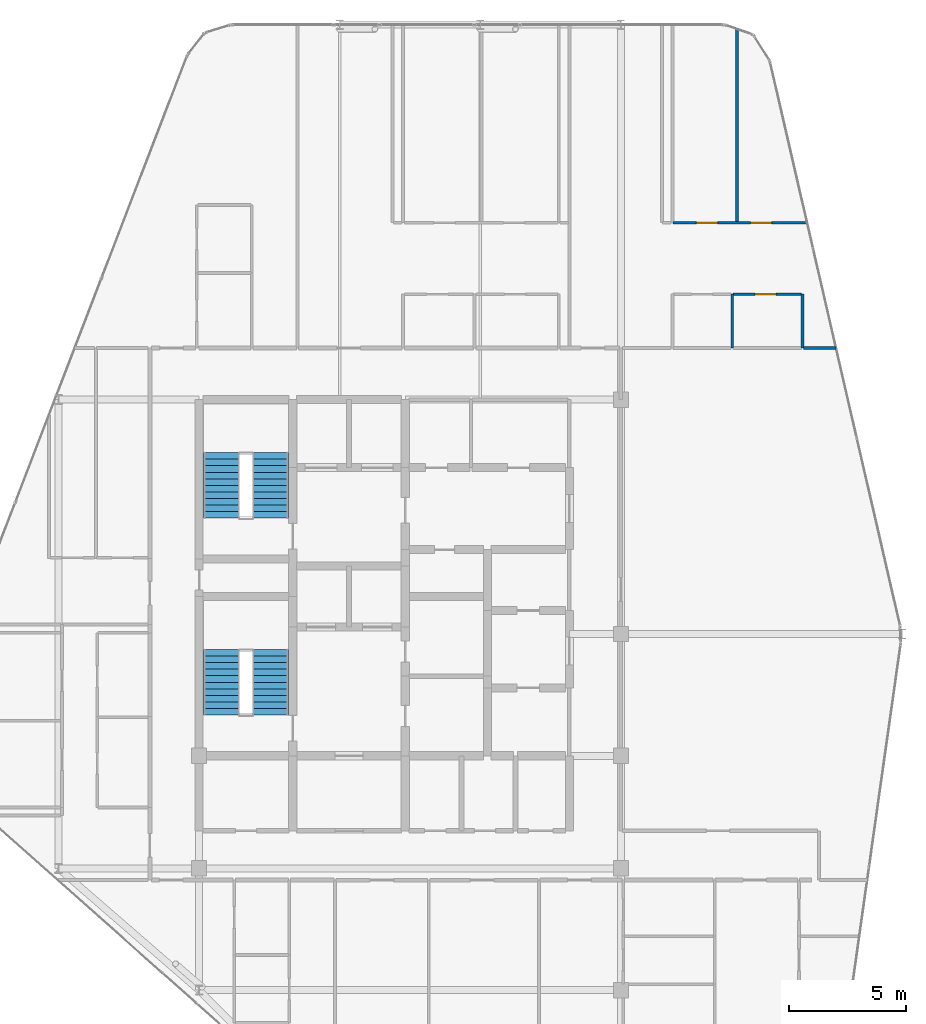
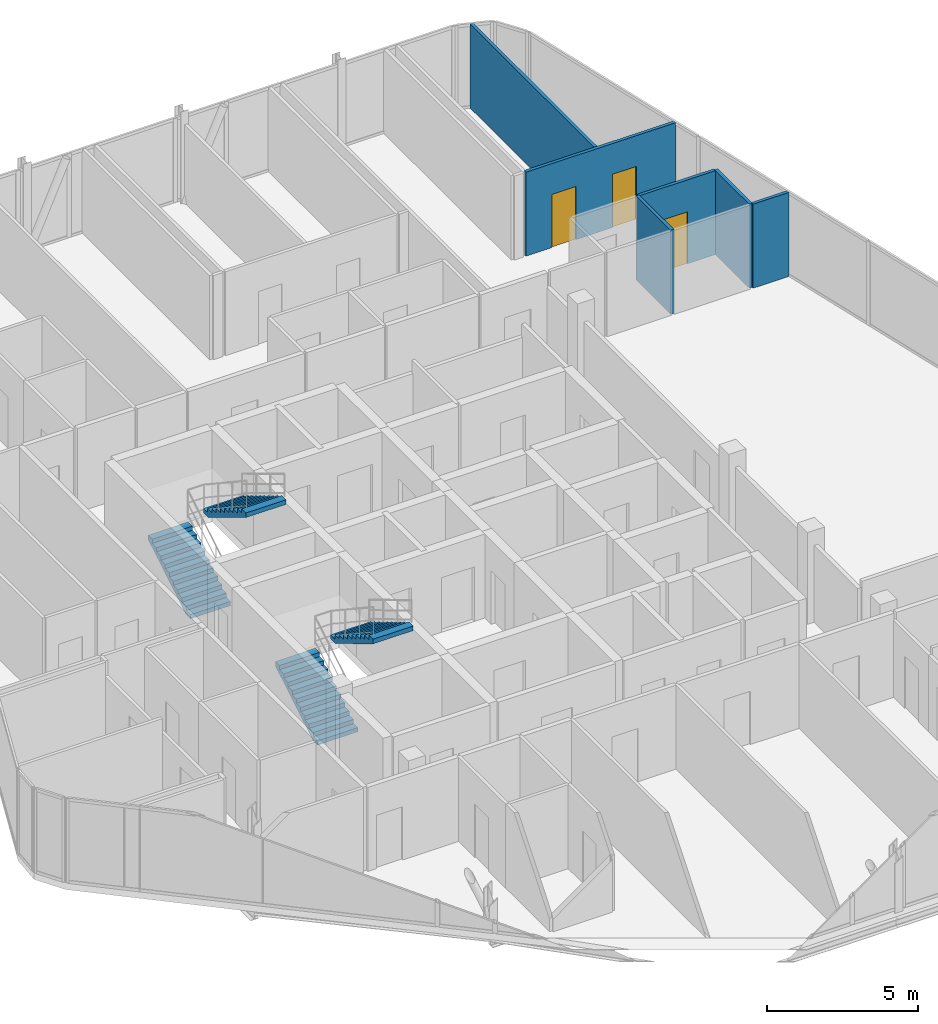
# One storey, part 26 of 27: 6 walls, 4 stair flights, 3 doors, 3 openings, 2 elements without a shape of their own.
"""IFC4 building model written with IfcOpenShell, lengths in metres."""

from ifc_helpers import new_model, si_unit, direction, frame, frame_2d, origin, place, context, subcontext, project, spatial, polyline, rectangle, outline, extrude, material, layer, layer_set, type_object, element, fill, aggregate, save


model = new_model("IFC4")

# Units and contexts
model_context = context("Model", 3, precision=1e-05, world=origin(), true_north=direction((0.0, 1.0)))
body_context = subcontext(model_context, "Body", "Model", "MODEL_VIEW")
ifc_project = project(units=[si_unit("LENGTHUNIT", "METRE"), si_unit("AREAUNIT", "SQUARE_METRE"), si_unit("VOLUMEUNIT", "CUBIC_METRE"), si_unit("PLANEANGLEUNIT", "RADIAN"), si_unit("MASSUNIT", "GRAM", prefix="KILO")], contexts=[model_context])

# Site, building, storey
site_placement = place(None, origin())
site = spatial("IfcSite", under=ifc_project, at=site_placement, CompositionType="ELEMENT")
building_placement = place(site_placement, origin())
building = spatial("IfcBuilding", under=site, at=building_placement, Name="Keshet Zoharim Tower", CompositionType="ELEMENT")
storey_placement = place(building_placement, frame((0.0, 0.0, 284.300048828125)))
storey = spatial("IfcBuildingStorey", under=building, at=storey_placement, Name="L71", CompositionType="ELEMENT", Elevation=284.300048828125)

# Walls
ifc_material_1 = material(Name="Gypsum Plasterboard", Category="gypsum")
ifc_layer_1 = layer(ifc_material_1, 0.1201171875)
ifc_layer_set_1 = layer_set([ifc_layer_1], Name="Gypsum Plasterboard")
wall_type_1 = type_object("IfcWallType", Name="WL-PART-120", PredefinedType="PARTITIONING", material=ifc_layer_set_1)
wall_1_placement = place(storey_placement, frame((37.949951171875, 45.449951171875, 0.0), z_axis=(0.0, 0.0, 1.0), x_axis=(0.0, 1.0, 0.0)))
element("IfcWall", 1, at=wall_1_placement, inside=storey, type_object=wall_type_1, Name="L71 Interior Wall 076", PredefinedType="PARTITIONING", context=body_context, shape_type="SweptSolid", body=[
    extrude(rectangle(XDim=8.2509765625, YDim=0.1201171875, at=frame_2d((4.12548828125, 0.0))), origin(), (0.0, 0.0, 1.0), 3.389892578125),
])
wall_2_placement = place(storey_placement, frame((40.7958984375, 40.10009765625, 0.0), z_axis=(0.0, 0.0, 1.0), x_axis=(1.0, 0.0, 0.0)))
element("IfcWall", 2, at=wall_2_placement, inside=storey, type_object=wall_type_1, Name="L71 Interior Wall 149", PredefinedType="PARTITIONING", context=body_context, shape_type="SweptSolid", body=[
    extrude(rectangle(XDim=1.379150390625, YDim=0.1201171875, at=frame_2d((0.689453125, 0.0))), origin(), (0.0, 0.0, 1.0), 3.389892578125),
])

# Wall, openings, doors
wall_3_placement = place(storey_placement, frame((35.22509765625, 45.449951171875, 0.0), z_axis=(0.0, 0.0, 1.0), x_axis=(1.0, 0.0, 0.0)))
wall_3 = element("IfcWall", 3, at=wall_3_placement, inside=storey, type_object=wall_type_1, Name="L71 Interior Wall 159", PredefinedType="PARTITIONING", context=body_context, shape_type="SweptSolid", body=[
    extrude(rectangle(XDim=5.71484375, YDim=0.1201171875, at=frame_2d((2.857421875, 0.0))), origin(), (0.0, 0.0, 1.0), 3.389892578125),
])
opening_1_placement = place(wall_3_placement, frame((0.9990234375, 0.0, 0.0)))
opening_1 = element("IfcOpeningElement", 4, at=opening_1_placement, cuts=wall_3, Name="Opening D-IN90", PredefinedType="OPENING", context=body_context, shape_type="SweptSolid", body=[
    extrude(rectangle(XDim=0.89990234375, YDim=2.14990234375, at=frame_2d((0.449951171875, 1.074951171875))), frame((0.0, 0.070068359375, 0.0), z_axis=(0.0, -1.0, 0.0), x_axis=(1.0, 0.0, 0.0)), (0.0, 0.0, 1.0), 0.14013671875),
])
opening_2_placement = place(wall_3_placement, frame((3.304931640625, 0.0, 0.0)))
opening_2 = element("IfcOpeningElement", 5, at=opening_2_placement, cuts=wall_3, Name="Opening D-IN90", PredefinedType="OPENING", context=body_context, shape_type="SweptSolid", body=[
    extrude(rectangle(XDim=0.89990234375, YDim=2.14990234375, at=frame_2d((0.449951171875, 1.074951171875))), frame((0.0, 0.070068359375, 0.0), z_axis=(0.0, -1.0, 0.0), x_axis=(1.0, 0.0, 0.0)), (0.0, 0.0, 1.0), 0.14013671875),
])
ifc_material_2 = material(Name="Hardwood Timber", Category="wood")
door_type_1 = type_object("IfcDoorType", Name="DR-INT-090", OperationType="NOTDEFINED", PredefinedType="DOOR", material=ifc_material_2)
door_1_placement = place(opening_1_placement, origin())
door_1 = element("IfcDoor", 6, at=door_1_placement, inside=storey, type_object=door_type_1, Name="Apartment 7106 Bedroom 1 Door", OperationType="SINGLE_SWING_RIGHT", OverallHeight=2.14990234375, OverallWidth=0.89990234375, PredefinedType="DOOR", context=body_context, shape_type="SweptSolid", body=[
    extrude(rectangle(XDim=0.89990234375, YDim=2.14990234375, at=frame_2d((0.449951171875, 1.074951171875))), frame((0.0, 0.02490234375, 0.0), z_axis=(0.0, -1.0, 0.0), x_axis=(1.0, 0.0, 0.0)), (0.0, 0.0, 1.0), 0.050048828125),
])
fill(opening_1, door_1)
door_2_placement = place(opening_2_placement, origin())
door_2 = element("IfcDoor", 7, at=door_2_placement, inside=storey, type_object=door_type_1, Name="Apartment 7106 Bedroom 2 Door", OperationType="SINGLE_SWING_LEFT", OverallHeight=2.14990234375, OverallWidth=0.89990234375, PredefinedType="DOOR", context=body_context, shape_type="SweptSolid", body=[
    extrude(rectangle(XDim=0.89990234375, YDim=2.14990234375, at=frame_2d((0.449951171875, 1.074951171875))), frame((0.0, 0.02490234375, 0.0), z_axis=(0.0, -1.0, 0.0), x_axis=(1.0, 0.0, 0.0)), (0.0, 0.0, 1.0), 0.050048828125),
])
fill(opening_2, door_2)

# Walls
ifc_layer_2 = layer(ifc_material_1, 0.1201171875)
ifc_layer_set_2 = layer_set([ifc_layer_2], Name="Gypsum Plasterboard")
wall_type_2 = type_object("IfcWallType", Name="WL-WET-120", PredefinedType="PARTITIONING", material=ifc_layer_set_2)
for number, where, z_axis, x_axis, name in (
    (8, (37.75, 40.10009765625, 0.0), (0.0, 0.0, 1.0), (0.0, 1.0, 0.0), "L71 Interior Wall 075"),
    (9, (40.75, 40.10009765625, 0.0), (0.0, 0.0, 1.0), (0.0, 1.0, 0.0), "L71 Interior Wall 080"),
):
    element("IfcWall", number, at=place(storey_placement, frame(where, z_axis=z_axis, x_axis=x_axis)), inside=storey, type_object=wall_type_2, Name=name, PredefinedType="PARTITIONING", context=body_context, shape_type="SweptSolid", body=[
        extrude(rectangle(XDim=2.2998046875, YDim=0.1201171875, at=frame_2d((1.14990234375, 0.0))), origin(), (0.0, 0.0, 1.0), 3.389892578125),
    ])

# Wall, opening, door
wall_4_placement = place(storey_placement, frame((37.7880859375, 42.39990234375, 0.0), z_axis=(0.0, 0.0, 1.0), x_axis=(1.0, 0.0, 0.0)))
wall_4 = element("IfcWall", 10, at=wall_4_placement, inside=storey, type_object=wall_type_2, Name="L71 Interior Wall 153", PredefinedType="PARTITIONING", context=body_context, shape_type="SweptSolid", body=[
    extrude(rectangle(XDim=2.91796875, YDim=0.1201171875, at=frame_2d((1.458984375, 0.0))), origin(), (0.0, 0.0, 1.0), 3.389892578125),
])
opening_3_placement = place(wall_4_placement, frame((0.93603515625, 0.0, 0.0)))
opening_3 = element("IfcOpeningElement", 11, at=opening_3_placement, cuts=wall_4, Name="Opening D-WT90", PredefinedType="OPENING", context=body_context, shape_type="SweptSolid", body=[
    extrude(rectangle(XDim=0.89990234375, YDim=2.10009765625, at=frame_2d((0.449951171875, 1.050048828125))), frame((0.0, 0.070068359375, 0.0), z_axis=(0.0, -1.0, 0.0), x_axis=(1.0, 0.0, 0.0)), (0.0, 0.0, 1.0), 0.14013671875),
])
door_type_2 = type_object("IfcDoorType", Name="DR-WET-090", OperationType="NOTDEFINED", PredefinedType="DOOR", material=ifc_material_2)
door_3_placement = place(opening_3_placement, origin())
door_3 = element("IfcDoor", 12, at=door_3_placement, inside=storey, type_object=door_type_2, Name="Apartment 7106 Bathroom Door", OperationType="SINGLE_SWING_LEFT", OverallHeight=2.10009765625, OverallWidth=0.89990234375, PredefinedType="DOOR", context=body_context, shape_type="SweptSolid", body=[
    extrude(rectangle(XDim=0.89990234375, YDim=2.10009765625, at=frame_2d((0.449951171875, 1.050048828125))), frame((0.0, 0.02490234375, 0.0), z_axis=(0.0, -1.0, 0.0), x_axis=(1.0, 0.0, 0.0)), (0.0, 0.0, 1.0), 0.050048828125),
])
fill(opening_3, door_3)

# Stair, stair flights
ifc_material_3 = material(Name="Concrete C50/60", Category="concrete")
stair_type = type_object("IfcStairType", Name="STR-EXIT-135", PredefinedType="HALF_TURN_STAIR", material=ifc_material_3)
stair_1_placement = place(storey_placement, origin())
stair_1 = element("IfcStair", 13, at=stair_1_placement, inside=storey, type_object=stair_type, Name="L71 Enclosed Exit Stair ST-01", PredefinedType="HALF_TURN_STAIR")
stair_flight_type = type_object("IfcStairFlightType", Name="FLT-PRE-135", PredefinedType="STRAIGHT", material=ifc_material_3)
stair_flight_1_placement = place(storey_placement, frame((15.945068359375, 24.43994140625, 0.0), z_axis=(0.0, 0.0, 1.0), x_axis=(0.0, 1.0, 0.0)))
stair_flight_1 = element("IfcStairFlight", 14, at=stair_flight_1_placement, type_object=stair_flight_type, Name="ST-01 flight 1", NumberOfRisers=11, NumberOfTreads=10, PredefinedType="STRAIGHT", RiserHeight=0.168182, TreadLength=0.28, context=body_context, shape_type="SweptSolid", body=[
    extrude(outline(polyline([(0.0, 0.0), (0.0, 0.168212890625), (0.280029296875, 0.168212890625), (0.280029296875, 0.33642578125), (0.56005859375, 0.33642578125), (0.56005859375, 0.504638671875), (0.840087890625, 0.504638671875), (0.840087890625, 0.672607421875), (1.1201171875, 0.672607421875), (1.1201171875, 0.8408203125), (1.39990234375, 0.8408203125), (1.39990234375, 1.009033203125), (1.679931640625, 1.009033203125), (1.679931640625, 1.17724609375), (1.9599609375, 1.17724609375), (1.9599609375, 1.345458984375), (2.239990234375, 1.345458984375), (2.239990234375, 1.513671875), (2.52001953125, 1.513671875), (2.52001953125, 1.681884765625), (2.800048828125, 1.681884765625), (2.800048828125, 1.85009765625), (2.800048828125, 1.495361328125), (0.310546875, 0.0), (0.0, 0.0)])), frame((0.0, 0.76513671875, 0.0), z_axis=(0.0, -1.0, 0.0), x_axis=(1.0, 0.0, 0.0)), (0.0, 0.0, 1.0), 1.530029296875),
])
stair_flight_2_placement = place(storey_placement, frame((18.054931640625, 27.239990234375, 1.849853515625), z_axis=(0.0, 0.0, 1.0), x_axis=(0.0, -1.0, 0.0)))
stair_flight_2 = element("IfcStairFlight", 15, at=stair_flight_2_placement, type_object=stair_flight_type, Name="ST-01 flight 2", NumberOfRisers=11, NumberOfTreads=10, PredefinedType="STRAIGHT", RiserHeight=0.168182, TreadLength=0.28, context=body_context, shape_type="SweptSolid", body=[
    extrude(outline(polyline([(0.0, 0.0), (0.0, 0.168212890625), (0.280029296875, 0.168212890625), (0.280029296875, 0.33642578125), (0.56005859375, 0.33642578125), (0.56005859375, 0.504638671875), (0.840087890625, 0.504638671875), (0.840087890625, 0.672607421875), (1.1201171875, 0.672607421875), (1.1201171875, 0.8408203125), (1.39990234375, 0.8408203125), (1.39990234375, 1.009033203125), (1.679931640625, 1.009033203125), (1.679931640625, 1.17724609375), (1.9599609375, 1.17724609375), (1.9599609375, 1.345458984375), (2.239990234375, 1.345458984375), (2.239990234375, 1.513671875), (2.52001953125, 1.513671875), (2.52001953125, 1.681884765625), (2.800048828125, 1.681884765625), (2.800048828125, 1.85009765625), (2.800048828125, 1.495361328125), (0.310546875, 0.0), (0.0, 0.0)])), frame((0.0, 0.76513671875, 0.0), z_axis=(0.0, -1.0, 0.0), x_axis=(1.0, 0.0, 0.0)), (0.0, 0.0, 1.0), 1.530029296875),
])
aggregate(stair_1, [stair_flight_1, stair_flight_2])

stair_2_placement = place(storey_placement, origin())
stair_2 = element("IfcStair", 16, at=stair_2_placement, inside=storey, type_object=stair_type, Name="L71 Enclosed Exit Stair ST-02", PredefinedType="HALF_TURN_STAIR")
stair_flight_3_placement = place(storey_placement, frame((15.945068359375, 32.840087890625, 0.0), z_axis=(0.0, 0.0, 1.0), x_axis=(0.0, 1.0, 0.0)))
stair_flight_3 = element("IfcStairFlight", 17, at=stair_flight_3_placement, type_object=stair_flight_type, Name="ST-02 flight 1", NumberOfRisers=11, NumberOfTreads=10, PredefinedType="STRAIGHT", RiserHeight=0.168182, TreadLength=0.28, context=body_context, shape_type="SweptSolid", body=[
    extrude(outline(polyline([(0.0, 0.0), (0.0, 0.168212890625), (0.280029296875, 0.168212890625), (0.280029296875, 0.33642578125), (0.56005859375, 0.33642578125), (0.56005859375, 0.504638671875), (0.840087890625, 0.504638671875), (0.840087890625, 0.672607421875), (1.1201171875, 0.672607421875), (1.1201171875, 0.8408203125), (1.39990234375, 0.8408203125), (1.39990234375, 1.009033203125), (1.679931640625, 1.009033203125), (1.679931640625, 1.17724609375), (1.9599609375, 1.17724609375), (1.9599609375, 1.345458984375), (2.239990234375, 1.345458984375), (2.239990234375, 1.513671875), (2.52001953125, 1.513671875), (2.52001953125, 1.681884765625), (2.800048828125, 1.681884765625), (2.800048828125, 1.85009765625), (2.800048828125, 1.495361328125), (0.310546875, 0.0), (0.0, 0.0)])), frame((0.0, 0.76513671875, 0.0), z_axis=(0.0, -1.0, 0.0), x_axis=(1.0, 0.0, 0.0)), (0.0, 0.0, 1.0), 1.530029296875),
])
stair_flight_4_placement = place(storey_placement, frame((18.054931640625, 35.639892578125, 1.849853515625), z_axis=(0.0, 0.0, 1.0), x_axis=(0.0, -1.0, 0.0)))
stair_flight_4 = element("IfcStairFlight", 18, at=stair_flight_4_placement, type_object=stair_flight_type, Name="ST-02 flight 2", NumberOfRisers=11, NumberOfTreads=10, PredefinedType="STRAIGHT", RiserHeight=0.168182, TreadLength=0.28, context=body_context, shape_type="SweptSolid", body=[
    extrude(outline(polyline([(0.0, 0.0), (0.0, 0.168212890625), (0.280029296875, 0.168212890625), (0.280029296875, 0.33642578125), (0.56005859375, 0.33642578125), (0.56005859375, 0.504638671875), (0.840087890625, 0.504638671875), (0.840087890625, 0.672607421875), (1.1201171875, 0.672607421875), (1.1201171875, 0.8408203125), (1.39990234375, 0.8408203125), (1.39990234375, 1.009033203125), (1.679931640625, 1.009033203125), (1.679931640625, 1.17724609375), (1.9599609375, 1.17724609375), (1.9599609375, 1.345458984375), (2.239990234375, 1.345458984375), (2.239990234375, 1.513671875), (2.52001953125, 1.513671875), (2.52001953125, 1.681884765625), (2.800048828125, 1.681884765625), (2.800048828125, 1.85009765625), (2.800048828125, 1.495361328125), (0.310546875, 0.0), (0.0, 0.0)])), frame((0.0, 0.76513671875, 0.0), z_axis=(0.0, -1.0, 0.0), x_axis=(1.0, 0.0, 0.0)), (0.0, 0.0, 1.0), 1.530029296875),
])
aggregate(stair_2, [stair_flight_3, stair_flight_4])

save(model, "model.ifc")
